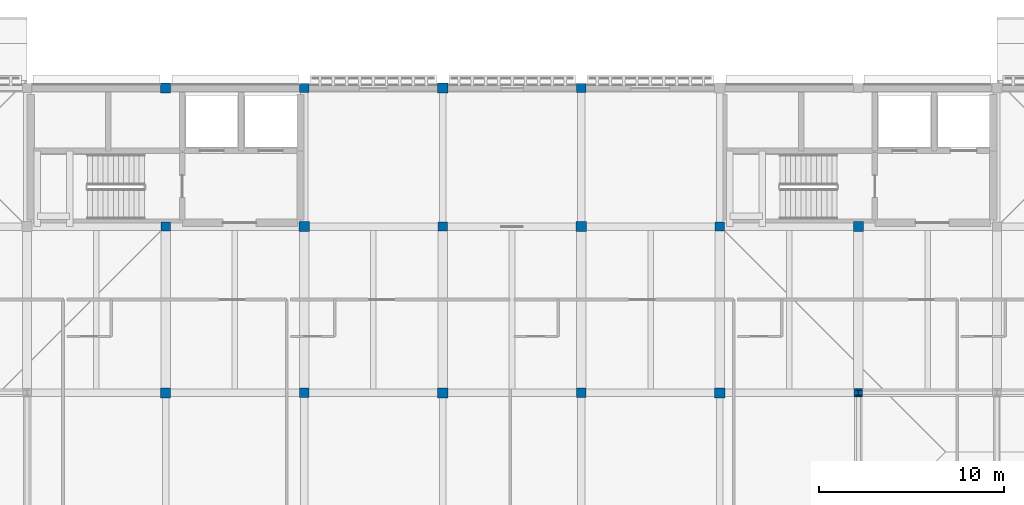
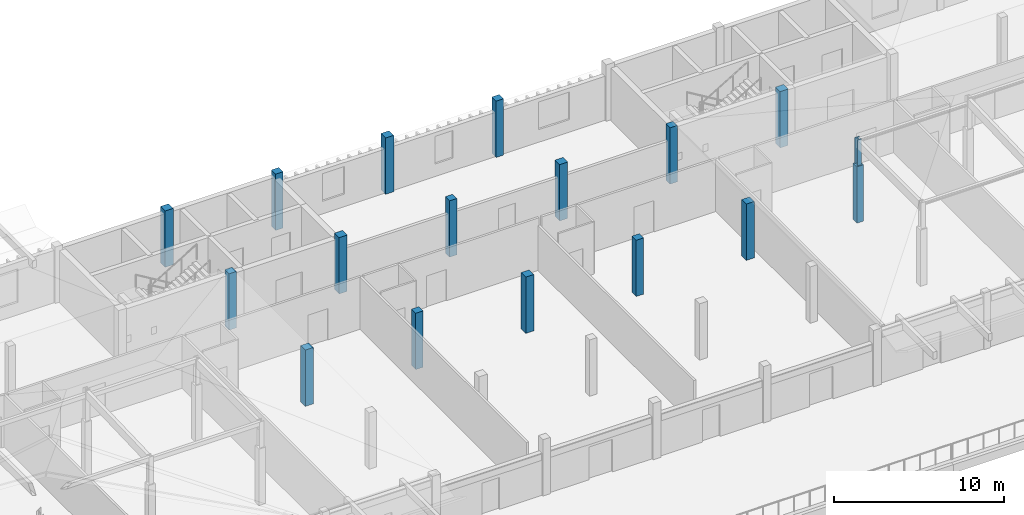
# One storey, part 8 of 48: 17 columns.
"""IFC4 building model written with IfcOpenShell, lengths in metres."""

import ifcopenshell
import ifcopenshell.guid

model = None  # the IFC model being written
_history = None  # IfcOwnerHistory: only IFC2X3 demands one
_inside = {}  # id of a spatial element -> (the spatial element, [elements in it])
_under = {}  # id of a project, library or spatial element -> (it, [spatial elements below it])
_declared = {}  # id of a project -> (the project, [libraries it declares])
_typed = {}  # id of a type object -> (the type object, [elements of that type])
_made_of = {}  # id of a material, layer set ... -> (it, [elements and type objects made of it])


def new_model(schema):
    """Start an empty IFC model of exactly this schema.

    Asked for "IFC4X3", IfcOpenShell would pick the latest addendum, in which some entities
    have other attributes; the version numbers below select the first issue.
    IFC2X3 requires an IfcOwnerHistory on every rooted entity: one is made here for all.
    """
    global model, _history
    if schema == "IFC4X3":
        model = ifcopenshell.file(schema_version=(4, 3, 0, 0))
    else:
        model = ifcopenshell.file(schema=schema)
    _inside.clear()
    _under.clear()
    _declared.clear()
    _typed.clear()
    _made_of.clear()
    _history = None
    if model.schema == "IFC2X3":
        org = make("IfcOrganization", Name="unknown")
        user = make(
            "IfcPersonAndOrganization",
            ThePerson=make("IfcPerson", FamilyName="unknown"),
            TheOrganization=org,
        )
        app = make(
            "IfcApplication",
            ApplicationDeveloper=org,
            Version="unknown",
            ApplicationFullName="unknown",
            ApplicationIdentifier="unknown",
        )
        _history = make(
            "IfcOwnerHistory",
            OwningUser=user,
            OwningApplication=app,
            ChangeAction="ADDED",
            CreationDate=0,
        )
    return model


def make(cls, **values):
    """One entity of the class cls with the attributes given. An attribute that is None is left unset."""
    return model.create_entity(
        cls, **{name: value for name, value in values.items() if value is not None}
    )


def rooted(cls, **values):
    """An entity with a GlobalId (a new one), such as an element, a storey or a relation."""
    return make(cls, GlobalId=ifcopenshell.guid.new(), OwnerHistory=_history, **values)


def si_unit(unit_type, name, prefix=None):
    """IfcSIUnit, for example si_unit("LENGTHUNIT", "METRE", prefix="MILLI")."""
    return make("IfcSIUnit", UnitType=unit_type, Prefix=prefix, Name=name)


def assignment(units):
    """IfcUnitAssignment: the units of a project."""
    return None if units is None else make("IfcUnitAssignment", Units=units)


def point(xyz):
    """IfcCartesianPoint."""
    return None if xyz is None else make("IfcCartesianPoint", Coordinates=xyz)


def direction(xyz):
    """IfcDirection."""
    return None if xyz is None else make("IfcDirection", DirectionRatios=xyz)


def frame(location, z_axis=None, x_axis=None):
    """IfcAxis2Placement3D, a coordinate frame: its origin and axes. An axis left out is left unset."""
    return make(
        "IfcAxis2Placement3D",
        Location=point(location),
        Axis=direction(z_axis),
        RefDirection=direction(x_axis),
    )


def frame_2d(location, x_axis=None):
    """IfcAxis2Placement2D, a coordinate frame in the plane: its origin and x axis."""
    return make(
        "IfcAxis2Placement2D", Location=point(location), RefDirection=direction(x_axis)
    )


def origin():
    """The frame at (0, 0, 0) with its axes left unset."""
    return frame((0.0, 0.0, 0.0))


def origin_2d():
    """The frame at (0, 0) in the plane with its x axis left unset."""
    return frame_2d((0.0, 0.0))


def place(relative_to, where):
    """IfcLocalPlacement: puts the frame where relative to a parent placement (None: the world)."""
    return make(
        "IfcLocalPlacement", PlacementRelTo=relative_to, RelativePlacement=where
    )


def context(
    kind, dimensions, precision=None, world=None, true_north=None, identifier=None
):
    """IfcGeometricRepresentationContext, for example the 3D "Model" context."""
    return make(
        "IfcGeometricRepresentationContext",
        ContextIdentifier=identifier,
        ContextType=kind,
        CoordinateSpaceDimension=dimensions,
        Precision=precision,
        WorldCoordinateSystem=world,
        TrueNorth=true_north,
    )


def subcontext(parent, identifier, kind, view, scale=None):
    """IfcGeometricRepresentationSubContext, for example "Body" below "Model"."""
    return make(
        "IfcGeometricRepresentationSubContext",
        ContextIdentifier=identifier,
        ContextType=kind,
        ParentContext=parent,
        TargetScale=scale,
        TargetView=view,
    )


def project(units=None, contexts=None):
    """IfcProject with its units and contexts."""
    return rooted(
        "IfcProject",
        Name="project",
        RepresentationContexts=contexts,
        UnitsInContext=assignment(units),
    )


def spatial(cls, under=None, at=None, **own):
    """A site, building, storey or space (cls), placed at a placement, below another one or the project."""
    s = rooted(cls, ObjectPlacement=at, **own)
    if under is not None:
        _under.setdefault(under.id(), (under, []))[1].append(s)
    return s


def profile(cls, at=None, kind="AREA", **sizes):
    """A parametric profile (cls). Its sizes go by their IFC names, for example OverallWidth=200.0."""
    return make(cls, ProfileType=kind, Position=at, **sizes)


def rectangle(**sizes):
    """IfcRectangleProfileDef."""
    return profile("IfcRectangleProfileDef", **sizes)


def i_section(**sizes):
    """IfcIShapeProfileDef."""
    return profile("IfcIShapeProfileDef", **sizes)


def extrude(swept, where, along, depth):
    """IfcExtrudedAreaSolid: the profile swept, set in the frame where, extruded along a direction by depth."""
    return make(
        "IfcExtrudedAreaSolid",
        SweptArea=swept,
        Position=where,
        ExtrudedDirection=direction(along),
        Depth=depth,
    )


def shape(context_of_items, identifier, shape_type, items):
    """IfcShapeRepresentation: the items that make up one representation, for example the "Body"."""
    return make(
        "IfcShapeRepresentation",
        ContextOfItems=context_of_items,
        RepresentationIdentifier=identifier,
        RepresentationType=shape_type,
        Items=items,
    )


def material(Name=None, Category=None):
    """IfcMaterial."""
    return make("IfcMaterial", Name=Name, Category=Category)


def material_profile(
    of_material, cross_section, Name=None, Category=None, Priority=None
):
    """IfcMaterialProfile: a cross section and its material."""
    return make(
        "IfcMaterialProfile",
        Name=Name,
        Material=of_material,
        Profile=cross_section,
        Priority=Priority,
        Category=Category,
    )


def profile_set(profiles, Name=None, composite=None):
    """IfcMaterialProfileSet."""
    return make(
        "IfcMaterialProfileSet",
        Name=Name,
        MaterialProfiles=profiles,
        CompositeProfile=composite,
    )


def made_of(thing, what):
    """Note that an element or type object is made of a material, layer set ...; save() writes the relation."""
    if what is not None:
        _made_of.setdefault(what.id(), (what, []))[1].append(thing)
    return thing


def type_object(cls, material=None, **own):
    """A type object (cls), such as IfcWallType, which elements share."""
    return made_of(rooted(cls, **own), material)


def element(
    cls,
    number,
    at=None,
    inside=None,
    cuts=None,
    type_object=None,
    material=None,
    context=None,
    identifier="Body",
    shape_type=None,
    held_by="IfcProductDefinitionShape",
    body=None,
    shapes=None,
    **own,
):
    """One element of the class cls, such as IfcWall. Its Tag is "e" and its number.

    at: its placement. inside: the storey or other place that contains it. cuts: it is an
    opening in that element (IfcRelVoidsElement). A single representation is given by context,
    identifier, shape_type and body (its items); several are given by shapes. held_by: the class
    of the entity that holds the representations. save() writes the other relations.
    """
    e = rooted(cls, Tag="e%d" % number, ObjectPlacement=at, **own)
    if body is not None:
        shapes = [shape(context, identifier, shape_type, body)]
    if shapes is not None:
        e.Representation = make(held_by, Representations=shapes)
    if inside is not None:
        _inside.setdefault(inside.id(), (inside, []))[1].append(e)
    if cuts is not None:
        rooted(
            "IfcRelVoidsElement", RelatingBuildingElement=cuts, RelatedOpeningElement=e
        )
    if type_object is not None:
        _typed.setdefault(type_object.id(), (type_object, []))[1].append(e)
    return made_of(e, material)


def aggregate(whole, parts):
    """IfcRelAggregates: a whole, such as a stair, and the parts it consists of."""
    return rooted("IfcRelAggregates", RelatingObject=whole, RelatedObjects=parts)


def save(model, path):
    """Write the relations noted so far, then the file.

    IfcRelAggregates (storeys below a building ...), IfcRelContainedInSpatialStructure (elements
    in a storey), IfcRelDefinesByType, IfcRelAssociatesMaterial and IfcRelDeclares: one each for
    every whole, place, type object, material and project.
    """
    for whole, parts in _under.values():
        aggregate(whole, parts)
    for where, things in _inside.values():
        rooted(
            "IfcRelContainedInSpatialStructure",
            RelatedElements=things,
            RelatingStructure=where,
        )
    for kind, things in _typed.values():
        rooted("IfcRelDefinesByType", RelatedObjects=things, RelatingType=kind)
    for what, things in _made_of.values():
        rooted("IfcRelAssociatesMaterial", RelatedObjects=things, RelatingMaterial=what)
    for by, libraries in _declared.values():
        rooted("IfcRelDeclares", RelatingContext=by, RelatedDefinitions=libraries)
    model.write(path)


model = new_model("IFC4")

# Units and contexts
model_context = context("Model", 3, precision=1e-05, world=origin(), true_north=direction((0.0, 1.0)))
body_context = subcontext(model_context, "Body", "Model", "MODEL_VIEW")
ifc_project = project(units=[si_unit("LENGTHUNIT", "METRE"), si_unit("AREAUNIT", "SQUARE_METRE"), si_unit("VOLUMEUNIT", "CUBIC_METRE"), si_unit("PLANEANGLEUNIT", "RADIAN"), si_unit("MASSUNIT", "GRAM", prefix="KILO")], contexts=[model_context])

# Site, building, storey
site_placement = place(None, origin())
site = spatial("IfcSite", under=ifc_project, at=site_placement, CompositionType="ELEMENT")
building_placement = place(site_placement, origin())
building = spatial("IfcBuilding", under=site, at=building_placement, Name="Dalvernix Boulevard General Hospital", CompositionType="ELEMENT")
storey_placement = place(building_placement, frame((0.0, 0.0, 17.85009765625)))
storey = spatial("IfcBuildingStorey", under=building, at=storey_placement, Name="L04", CompositionType="ELEMENT", Elevation=17.85009765625)

# Columns
ifc_material_1 = material(Name="Concrete C40/50", Category="concrete")
ifc_material_profile_1 = material_profile(ifc_material_1, rectangle(XDim=0.550048828125, YDim=0.550048828125, at=origin_2d()), Name="RC 550x550")
ifc_profile_set_1 = profile_set([ifc_material_profile_1], Name="Concrete C40/50")
column_type_1 = type_object("IfcColumnType", Name="COL-C-08-E", PredefinedType="COLUMN", material=ifc_profile_set_1)
for number, where, z_axis, x_axis, name in (
    (1, (67.5, 117.0, 0.0), (0.0, 0.0, 1.0), (1.0, 0.0, 0.0), "L04 column 10R"),
    (2, (82.5, 117.0, 0.0), (0.0, 0.0, 1.0), (1.0, 0.0, 0.0), "L04 column 12R"),
):
    element("IfcColumn", number, at=place(storey_placement, frame(where, z_axis=z_axis, x_axis=x_axis)), inside=storey, type_object=column_type_1, Name=name, PredefinedType="COLUMN", context=body_context, shape_type="SweptSolid", body=[
        extrude(rectangle(XDim=0.550048828125, YDim=0.550048828125, at=origin_2d()), origin(), (0.0, 0.0, 1.0), 4.0498046875),
    ])
ifc_material_profile_2 = material_profile(ifc_material_1, rectangle(XDim=0.550048828125, YDim=0.550048828125, at=origin_2d()), Name="RC 550x550")
ifc_profile_set_2 = profile_set([ifc_material_profile_2], Name="Concrete C40/50")
column_type_2 = type_object("IfcColumnType", Name="COL-C-08-I", PredefinedType="COLUMN", material=ifc_profile_set_2)
for number, where, z_axis, x_axis, name in (
    (3, (67.5, 100.5, 0.0), (0.0, 0.0, 1.0), (1.0, 0.0, 0.0), "L04 column 10P"),
    (4, (75.0, 109.5, 0.0), (0.0, 0.0, 1.0), (1.0, 0.0, 0.0), "L04 column 11Q"),
    (5, (82.5, 100.5, 0.0), (0.0, 0.0, 1.0), (1.0, 0.0, 0.0), "L04 column 12P"),
    (6, (90.0, 109.5, 0.0), (0.0, 0.0, 1.0), (1.0, 0.0, 0.0), "L04 column 13Q"),
    (7, (97.5, 100.5, 0.0), (0.0, 0.0, 1.0), (1.0, 0.0, 0.0), "L04 column 14P"),
    (8, (105.0, 109.5, 0.0), (0.0, 0.0, 1.0), (1.0, 0.0, 0.0), "L04 column 15Q"),
):
    element("IfcColumn", number, at=place(storey_placement, frame(where, z_axis=z_axis, x_axis=x_axis)), inside=storey, type_object=column_type_2, Name=name, PredefinedType="COLUMN", context=body_context, shape_type="SweptSolid", body=[
        extrude(rectangle(XDim=0.550048828125, YDim=0.550048828125, at=origin_2d()), origin(), (0.0, 0.0, 1.0), 4.0498046875),
    ])
ifc_material_profile_3 = material_profile(ifc_material_1, rectangle(XDim=0.5, YDim=0.5, at=origin_2d()), Name="RC 500x500")
ifc_profile_set_3 = profile_set([ifc_material_profile_3], Name="Concrete C40/50")
column_type_3 = type_object("IfcColumnType", Name="COL-C-09-E", PredefinedType="COLUMN", material=ifc_profile_set_3)
for number, where, z_axis, x_axis, name in (
    (9, (75.0, 117.0, 0.0), (0.0, 0.0, 1.0), (1.0, 0.0, 0.0), "L04 column 11R"),
    (10, (90.0, 117.0, 0.0), (0.0, 0.0, 1.0), (1.0, 0.0, 0.0), "L04 column 13R"),
):
    element("IfcColumn", number, at=place(storey_placement, frame(where, z_axis=z_axis, x_axis=x_axis)), inside=storey, type_object=column_type_3, Name=name, PredefinedType="COLUMN", context=body_context, shape_type="SweptSolid", body=[
        extrude(rectangle(XDim=0.5, YDim=0.5, at=origin_2d()), origin(), (0.0, 0.0, 1.0), 4.0498046875),
    ])
ifc_material_profile_4 = material_profile(ifc_material_1, rectangle(XDim=0.5, YDim=0.5, at=origin_2d()), Name="RC 500x500")
ifc_profile_set_4 = profile_set([ifc_material_profile_4], Name="Concrete C40/50")
column_type_4 = type_object("IfcColumnType", Name="COL-C-09-I", PredefinedType="COLUMN", material=ifc_profile_set_4)
for number, where, z_axis, x_axis, name in (
    (11, (67.5, 109.5, 0.0), (0.0, 0.0, 1.0), (1.0, 0.0, 0.0), "L04 column 10Q"),
    (12, (75.0, 100.5, 0.0), (0.0, 0.0, 1.0), (1.0, 0.0, 0.0), "L04 column 11P"),
    (13, (82.5, 109.5, 0.0), (0.0, 0.0, 1.0), (1.0, 0.0, 0.0), "L04 column 12Q"),
    (14, (90.0, 100.5, 0.0), (0.0, 0.0, 1.0), (1.0, 0.0, 0.0), "L04 column 13P"),
    (15, (97.5, 109.5, 0.0), (0.0, 0.0, 1.0), (1.0, 0.0, 0.0), "L04 column 14Q"),
):
    element("IfcColumn", number, at=place(storey_placement, frame(where, z_axis=z_axis, x_axis=x_axis)), inside=storey, type_object=column_type_4, Name=name, PredefinedType="COLUMN", context=body_context, shape_type="SweptSolid", body=[
        extrude(rectangle(XDim=0.5, YDim=0.5, at=origin_2d()), origin(), (0.0, 0.0, 1.0), 4.0498046875),
    ])
ifc_material_profile_5 = material_profile(ifc_material_1, rectangle(XDim=0.449951171875, YDim=0.449951171875, at=origin_2d()), Name="RC 450x450")
ifc_profile_set_5 = profile_set([ifc_material_profile_5], Name="Concrete C40/50")
column_type_5 = type_object("IfcColumnType", Name="COL-C-10-I", PredefinedType="COLUMN", material=ifc_profile_set_5)
column_1_placement = place(storey_placement, frame((105.0, 100.5, 0.0), z_axis=(0.0, 0.0, 1.0), x_axis=(1.0, 0.0, 0.0)))
element("IfcColumn", 16, at=column_1_placement, inside=storey, type_object=column_type_5, Name="L04 column 15P", PredefinedType="COLUMN", context=body_context, shape_type="SweptSolid", body=[
    extrude(rectangle(XDim=0.449951171875, YDim=0.449951171875, at=origin_2d()), origin(), (0.0, 0.0, 1.0), 4.0498046875),
])
ifc_material_2 = material(Name="Steel S355", Category="steel")
ifc_material_profile_6 = material_profile(ifc_material_2, i_section(OverallWidth=0.300048828125, OverallDepth=0.300048828125, WebThickness=0.010986328125, FlangeThickness=0.01904296875, FilletRadius=0.027099609375, at=origin_2d()), Name="HEB 300")
ifc_profile_set_6 = profile_set([ifc_material_profile_6], Name="Steel S355")
column_type_6 = type_object("IfcColumnType", Name="COL-C-18", PredefinedType="COLUMN", material=ifc_profile_set_6)
column_2_placement = place(storey_placement, frame((105.0, 100.5, 4.0498046875), z_axis=(0.0, 0.0, 1.0), x_axis=(1.0, 0.0, 0.0)))
element("IfcColumn", 17, at=column_2_placement, inside=storey, type_object=column_type_6, Name="V3E roof king post 15P", PredefinedType="COLUMN", context=body_context, shape_type="SweptSolid", body=[
    extrude(i_section(OverallWidth=0.300048828125, OverallDepth=0.300048828125, WebThickness=0.010986328125, FlangeThickness=0.01904296875, FilletRadius=0.027099609375, at=origin_2d()), origin(), (0.0, 0.0, 1.0), 1.871826171875),
])

save(model, "model.ifc")
